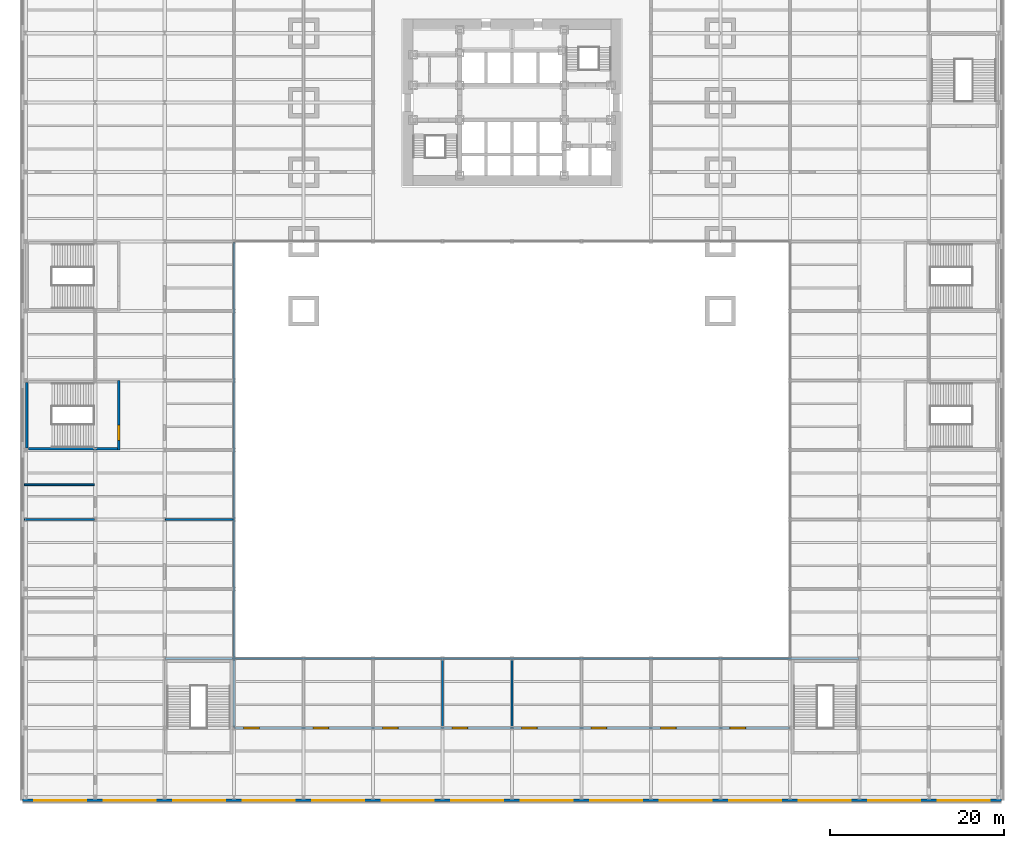
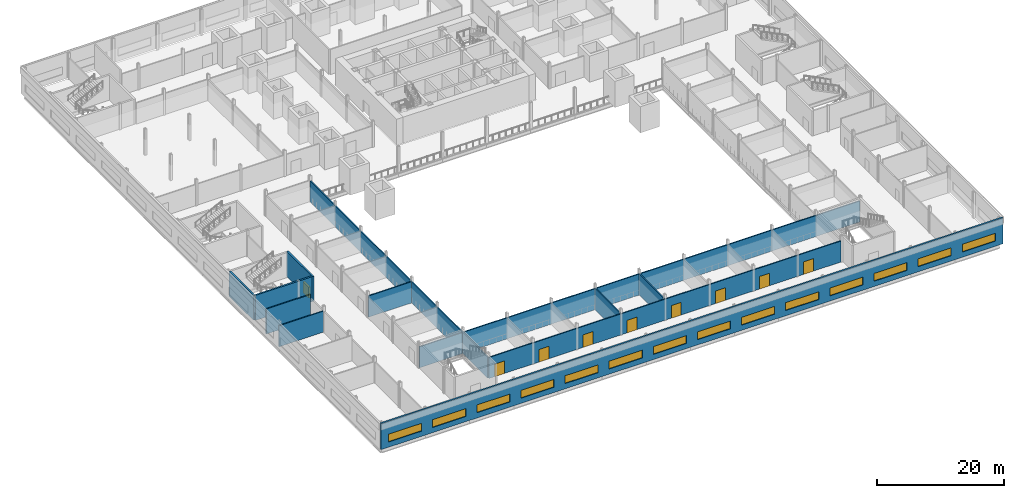
# One storey, part 10 of 22: 14 windows, 12 walls, 9 doors, 23 openings.
"""IFC4 building model written with IfcOpenShell, lengths in metres."""

from ifc_helpers import new_model, si_unit, direction, frame, frame_2d, origin, place, context, subcontext, project, spatial, rectangle, extrude, material, layer, layer_set, type_object, element, fill, save


model = new_model("IFC4")

# Units and contexts
model_context = context("Model", 3, precision=1e-05, world=origin(), true_north=direction((0.0, 1.0)))
body_context = subcontext(model_context, "Body", "Model", "MODEL_VIEW")
ifc_project = project(units=[si_unit("LENGTHUNIT", "METRE"), si_unit("AREAUNIT", "SQUARE_METRE"), si_unit("VOLUMEUNIT", "CUBIC_METRE"), si_unit("PLANEANGLEUNIT", "RADIAN"), si_unit("MASSUNIT", "GRAM", prefix="KILO")], contexts=[model_context])

# Site, building, storey
site_placement = place(None, origin())
site = spatial("IfcSite", under=ifc_project, at=site_placement, CompositionType="ELEMENT")
building_placement = place(site_placement, origin())
building = spatial("IfcBuilding", under=site, at=building_placement, Name="Daluyong Arena Tower", CompositionType="ELEMENT")
storey_placement = place(building_placement, frame((0.0, 0.0, 9.89990234375)))
storey = spatial("IfcBuildingStorey", under=building, at=storey_placement, Name="L02", CompositionType="ELEMENT", Elevation=9.89990234375)

# Wall, openings, doors
ifc_material_1 = material(Name="Concrete block partition", Category="concrete")
ifc_layer_1 = layer(ifc_material_1, 0.199951171875)
ifc_layer_set_1 = layer_set([ifc_layer_1], Name="Concrete block partition")
wall_type_1 = type_object("IfcWallType", Name="Partition 200", PredefinedType="PARTITIONING", material=ifc_layer_set_1)
wall_1_placement = place(storey_placement, frame((24.10009765625, 8.0, 0.0), z_axis=(0.0, 0.0, 1.0), x_axis=(1.0, 0.0, 0.0)))
wall_1 = element("IfcWall", 1, at=wall_1_placement, inside=storey, type_object=wall_type_1, Name="partition at L02", PredefinedType="PARTITIONING", context=body_context, shape_type="SweptSolid", body=[
    extrude(rectangle(XDim=63.7998046875, YDim=0.199951171875, at=frame_2d((31.89990234375, 0.0))), origin(), (0.0, 0.0, 1.0), 4.02783203125),
])
opening_1_placement = place(wall_1_placement, frame((1.0, 0.0, 0.0)))
opening_1 = element("IfcOpeningElement", 2, at=opening_1_placement, cuts=wall_1, Name="Opening 02045", PredefinedType="OPENING", context=body_context, shape_type="SweptSolid", body=[
    extrude(rectangle(XDim=1.800048828125, YDim=2.39990234375, at=frame_2d((0.89990234375, 1.199951171875))), frame((0.0, 0.10986328125, 0.0), z_axis=(0.0, -1.0, 0.0), x_axis=(1.0, 0.0, 0.0)), (0.0, 0.0, 1.0), 0.219970703125),
])
opening_2_placement = place(wall_1_placement, frame((9.0, 0.0, 0.0)))
opening_2 = element("IfcOpeningElement", 3, at=opening_2_placement, cuts=wall_1, Name="Opening 02046", PredefinedType="OPENING", context=body_context, shape_type="SweptSolid", body=[
    extrude(rectangle(XDim=1.800048828125, YDim=2.39990234375, at=frame_2d((0.89990234375, 1.199951171875))), frame((0.0, 0.10986328125, 0.0), z_axis=(0.0, -1.0, 0.0), x_axis=(1.0, 0.0, 0.0)), (0.0, 0.0, 1.0), 0.219970703125),
])
opening_3_placement = place(wall_1_placement, frame((17.0, 0.0, 0.0)))
opening_3 = element("IfcOpeningElement", 4, at=opening_3_placement, cuts=wall_1, Name="Opening 02047", PredefinedType="OPENING", context=body_context, shape_type="SweptSolid", body=[
    extrude(rectangle(XDim=1.800048828125, YDim=2.39990234375, at=frame_2d((0.89990234375, 1.199951171875))), frame((0.0, 0.10986328125, 0.0), z_axis=(0.0, -1.0, 0.0), x_axis=(1.0, 0.0, 0.0)), (0.0, 0.0, 1.0), 0.219970703125),
])
opening_4_placement = place(wall_1_placement, frame((25.0, 0.0, 0.0)))
opening_4 = element("IfcOpeningElement", 5, at=opening_4_placement, cuts=wall_1, Name="Opening 02048", PredefinedType="OPENING", context=body_context, shape_type="SweptSolid", body=[
    extrude(rectangle(XDim=1.800048828125, YDim=2.39990234375, at=frame_2d((0.89990234375, 1.199951171875))), frame((0.0, 0.10986328125, 0.0), z_axis=(0.0, -1.0, 0.0), x_axis=(1.0, 0.0, 0.0)), (0.0, 0.0, 1.0), 0.219970703125),
])
opening_5_placement = place(wall_1_placement, frame((33.0, 0.0, 0.0)))
opening_5 = element("IfcOpeningElement", 6, at=opening_5_placement, cuts=wall_1, Name="Opening 02049", PredefinedType="OPENING", context=body_context, shape_type="SweptSolid", body=[
    extrude(rectangle(XDim=1.800048828125, YDim=2.39990234375, at=frame_2d((0.89990234375, 1.199951171875))), frame((0.0, 0.10986328125, 0.0), z_axis=(0.0, -1.0, 0.0), x_axis=(1.0, 0.0, 0.0)), (0.0, 0.0, 1.0), 0.219970703125),
])
opening_6_placement = place(wall_1_placement, frame((41.0, 0.0, 0.0)))
opening_6 = element("IfcOpeningElement", 7, at=opening_6_placement, cuts=wall_1, Name="Opening 02050", PredefinedType="OPENING", context=body_context, shape_type="SweptSolid", body=[
    extrude(rectangle(XDim=1.800048828125, YDim=2.39990234375, at=frame_2d((0.89990234375, 1.199951171875))), frame((0.0, 0.10986328125, 0.0), z_axis=(0.0, -1.0, 0.0), x_axis=(1.0, 0.0, 0.0)), (0.0, 0.0, 1.0), 0.219970703125),
])
opening_7_placement = place(wall_1_placement, frame((49.0, 0.0, 0.0)))
opening_7 = element("IfcOpeningElement", 8, at=opening_7_placement, cuts=wall_1, Name="Opening 02051", PredefinedType="OPENING", context=body_context, shape_type="SweptSolid", body=[
    extrude(rectangle(XDim=1.800048828125, YDim=2.39990234375, at=frame_2d((0.89990234375, 1.199951171875))), frame((0.0, 0.10986328125, 0.0), z_axis=(0.0, -1.0, 0.0), x_axis=(1.0, 0.0, 0.0)), (0.0, 0.0, 1.0), 0.219970703125),
])
opening_8_placement = place(wall_1_placement, frame((57.0, 0.0, 0.0)))
opening_8 = element("IfcOpeningElement", 9, at=opening_8_placement, cuts=wall_1, Name="Opening 02052", PredefinedType="OPENING", context=body_context, shape_type="SweptSolid", body=[
    extrude(rectangle(XDim=1.800048828125, YDim=2.39990234375, at=frame_2d((0.89990234375, 1.199951171875))), frame((0.0, 0.10986328125, 0.0), z_axis=(0.0, -1.0, 0.0), x_axis=(1.0, 0.0, 0.0)), (0.0, 0.0, 1.0), 0.219970703125),
])
ifc_material_2 = material(Name="Timber door", Category="wood")
door_type_1 = type_object("IfcDoorType", Name="Assembly double door 1800", OperationType="DOUBLE_DOOR_DOUBLE_SWING", PredefinedType="DOOR", material=ifc_material_2)
door_1_placement = place(opening_1_placement, origin())
door_1 = element("IfcDoor", 10, at=door_1_placement, inside=storey, type_object=door_type_1, Name="corporate suite door 02045", OperationType="DOUBLE_DOOR_DOUBLE_SWING", OverallHeight=2.39990234375, OverallWidth=1.800048828125, PredefinedType="DOOR", context=body_context, shape_type="SweptSolid", body=[
    extrude(rectangle(XDim=1.800048828125, YDim=2.39990234375, at=frame_2d((0.89990234375, 1.199951171875))), frame((0.0, 0.099609375, 0.0), z_axis=(0.0, -1.0, 0.0), x_axis=(1.0, 0.0, 0.0)), (0.0, 0.0, 1.0), 0.199462890625),
])
fill(opening_1, door_1)
door_2_placement = place(opening_2_placement, origin())
door_2 = element("IfcDoor", 11, at=door_2_placement, inside=storey, type_object=door_type_1, Name="corporate suite door 02046", OperationType="DOUBLE_DOOR_DOUBLE_SWING", OverallHeight=2.39990234375, OverallWidth=1.800048828125, PredefinedType="DOOR", context=body_context, shape_type="SweptSolid", body=[
    extrude(rectangle(XDim=1.800048828125, YDim=2.39990234375, at=frame_2d((0.89990234375, 1.199951171875))), frame((0.0, 0.099609375, 0.0), z_axis=(0.0, -1.0, 0.0), x_axis=(1.0, 0.0, 0.0)), (0.0, 0.0, 1.0), 0.199462890625),
])
fill(opening_2, door_2)
door_3_placement = place(opening_3_placement, origin())
door_3 = element("IfcDoor", 12, at=door_3_placement, inside=storey, type_object=door_type_1, Name="corporate suite door 02047", OperationType="DOUBLE_DOOR_DOUBLE_SWING", OverallHeight=2.39990234375, OverallWidth=1.800048828125, PredefinedType="DOOR", context=body_context, shape_type="SweptSolid", body=[
    extrude(rectangle(XDim=1.800048828125, YDim=2.39990234375, at=frame_2d((0.89990234375, 1.199951171875))), frame((0.0, 0.099609375, 0.0), z_axis=(0.0, -1.0, 0.0), x_axis=(1.0, 0.0, 0.0)), (0.0, 0.0, 1.0), 0.199462890625),
])
fill(opening_3, door_3)
door_4_placement = place(opening_4_placement, origin())
door_4 = element("IfcDoor", 13, at=door_4_placement, inside=storey, type_object=door_type_1, Name="corporate suite door 02048", OperationType="DOUBLE_DOOR_DOUBLE_SWING", OverallHeight=2.39990234375, OverallWidth=1.800048828125, PredefinedType="DOOR", context=body_context, shape_type="SweptSolid", body=[
    extrude(rectangle(XDim=1.800048828125, YDim=2.39990234375, at=frame_2d((0.89990234375, 1.199951171875))), frame((0.0, 0.099609375, 0.0), z_axis=(0.0, -1.0, 0.0), x_axis=(1.0, 0.0, 0.0)), (0.0, 0.0, 1.0), 0.199462890625),
])
fill(opening_4, door_4)
door_5_placement = place(opening_5_placement, origin())
door_5 = element("IfcDoor", 14, at=door_5_placement, inside=storey, type_object=door_type_1, Name="corporate suite door 02049", OperationType="DOUBLE_DOOR_DOUBLE_SWING", OverallHeight=2.39990234375, OverallWidth=1.800048828125, PredefinedType="DOOR", context=body_context, shape_type="SweptSolid", body=[
    extrude(rectangle(XDim=1.800048828125, YDim=2.39990234375, at=frame_2d((0.89990234375, 1.199951171875))), frame((0.0, 0.099609375, 0.0), z_axis=(0.0, -1.0, 0.0), x_axis=(1.0, 0.0, 0.0)), (0.0, 0.0, 1.0), 0.199462890625),
])
fill(opening_5, door_5)
door_6_placement = place(opening_6_placement, origin())
door_6 = element("IfcDoor", 15, at=door_6_placement, inside=storey, type_object=door_type_1, Name="corporate suite door 02050", OperationType="DOUBLE_DOOR_DOUBLE_SWING", OverallHeight=2.39990234375, OverallWidth=1.800048828125, PredefinedType="DOOR", context=body_context, shape_type="SweptSolid", body=[
    extrude(rectangle(XDim=1.800048828125, YDim=2.39990234375, at=frame_2d((0.89990234375, 1.199951171875))), frame((0.0, 0.099609375, 0.0), z_axis=(0.0, -1.0, 0.0), x_axis=(1.0, 0.0, 0.0)), (0.0, 0.0, 1.0), 0.199462890625),
])
fill(opening_6, door_6)
door_7_placement = place(opening_7_placement, origin())
door_7 = element("IfcDoor", 16, at=door_7_placement, inside=storey, type_object=door_type_1, Name="corporate suite door 02051", OperationType="DOUBLE_DOOR_DOUBLE_SWING", OverallHeight=2.39990234375, OverallWidth=1.800048828125, PredefinedType="DOOR", context=body_context, shape_type="SweptSolid", body=[
    extrude(rectangle(XDim=1.800048828125, YDim=2.39990234375, at=frame_2d((0.89990234375, 1.199951171875))), frame((0.0, 0.099609375, 0.0), z_axis=(0.0, -1.0, 0.0), x_axis=(1.0, 0.0, 0.0)), (0.0, 0.0, 1.0), 0.199462890625),
])
fill(opening_7, door_7)
door_8_placement = place(opening_8_placement, origin())
door_8 = element("IfcDoor", 17, at=door_8_placement, inside=storey, type_object=door_type_1, Name="corporate suite door 02052", OperationType="DOUBLE_DOOR_DOUBLE_SWING", OverallHeight=2.39990234375, OverallWidth=1.800048828125, PredefinedType="DOOR", context=body_context, shape_type="SweptSolid", body=[
    extrude(rectangle(XDim=1.800048828125, YDim=2.39990234375, at=frame_2d((0.89990234375, 1.199951171875))), frame((0.0, 0.099609375, 0.0), z_axis=(0.0, -1.0, 0.0), x_axis=(1.0, 0.0, 0.0)), (0.0, 0.0, 1.0), 0.199462890625),
])
fill(opening_8, door_8)

# Walls
wall_2_placement = place(storey_placement, frame((16.10009765625, 16.0, 0.0), z_axis=(0.0, 0.0, 1.0), x_axis=(1.0, 0.0, 0.0)))
element("IfcWall", 18, at=wall_2_placement, inside=storey, type_object=wall_type_1, Name="partition at L02", PredefinedType="PARTITIONING", context=body_context, shape_type="SweptSolid", body=[
    extrude(rectangle(XDim=79.7998046875, YDim=0.199951171875, at=frame_2d((39.89990234375, 0.0))), origin(), (0.0, 0.0, 1.0), 4.02783203125),
])
wall_3_placement = place(storey_placement, frame((-0.14990234375, 32.0, 0.0), z_axis=(0.0, 0.0, 1.0), x_axis=(1.0, 0.0, 0.0)))
element("IfcWall", 19, at=wall_3_placement, inside=storey, type_object=wall_type_1, Name="partition at L02", PredefinedType="PARTITIONING", context=body_context, shape_type="SweptSolid", body=[
    extrude(rectangle(XDim=8.0498046875, YDim=0.199951171875, at=frame_2d((4.02490234375, 0.0))), origin(), (0.0, 0.0, 1.0), 4.02783203125),
])
wall_4_placement = place(storey_placement, frame((16.10009765625, 32.0, 0.0), z_axis=(0.0, 0.0, 1.0), x_axis=(1.0, 0.0, 0.0)))
element("IfcWall", 20, at=wall_4_placement, inside=storey, type_object=wall_type_1, Name="partition at L02", PredefinedType="PARTITIONING", context=body_context, shape_type="SweptSolid", body=[
    extrude(rectangle(XDim=7.7998046875, YDim=0.199951171875, at=frame_2d((3.89990234375, 0.0))), origin(), (0.0, 0.0, 1.0), 4.071533203125),
])
wall_5_placement = place(storey_placement, frame((-0.14990234375, 36.0, 0.0), z_axis=(0.0, 0.0, 1.0), x_axis=(1.0, 0.0, 0.0)))
element("IfcWall", 21, at=wall_5_placement, inside=storey, type_object=wall_type_1, Name="partition at L02", PredefinedType="PARTITIONING", context=body_context, shape_type="SweptSolid", body=[
    extrude(rectangle(XDim=8.0498046875, YDim=0.199951171875, at=frame_2d((4.02490234375, 0.0))), origin(), (0.0, 0.0, 1.0), 4.800048828125),
])
wall_6_placement = place(storey_placement, frame((24.0, 8.10009765625, 0.0), z_axis=(0.0, 0.0, 1.0), x_axis=(0.0, 1.0, 0.0)))
element("IfcWall", 22, at=wall_6_placement, inside=storey, type_object=wall_type_1, Name="partition at L02", PredefinedType="PARTITIONING", context=body_context, shape_type="SweptSolid", body=[
    extrude(rectangle(XDim=55.7998046875, YDim=0.199951171875, at=frame_2d((27.89990234375, 0.0))), origin(), (0.0, 0.0, 1.0), 4.02783203125),
])
for number, where, z_axis, x_axis, name in (
    (23, (48.0, 8.10009765625, 0.0), (0.0, 0.0, 1.0), (0.0, 1.0, 0.0), "partition at L02"),
    (24, (56.0, 8.10009765625, 0.0), (0.0, 0.0, 1.0), (0.0, 1.0, 0.0), "partition at L02"),
):
    element("IfcWall", number, at=place(storey_placement, frame(where, z_axis=z_axis, x_axis=x_axis)), inside=storey, type_object=wall_type_1, Name=name, PredefinedType="PARTITIONING", context=body_context, shape_type="SweptSolid", body=[
        extrude(rectangle(XDim=7.7998046875, YDim=0.199951171875, at=frame_2d((3.89990234375, 0.0))), origin(), (0.0, 0.0, 1.0), 4.071533203125),
    ])

# Wall, openings, windows
ifc_material_3 = material(Name="Precast concrete fc' 45 MPa", Category="concrete")
ifc_layer_2 = layer(ifc_material_3, 0.300048828125)
ifc_layer_set_2 = layer_set([ifc_layer_2], Name="Precast concrete fc' 45 MPa")
wall_type_2 = type_object("IfcWallType", Name="Podium precast band wall 300", PredefinedType="SOLIDWALL", material=ifc_layer_set_2)
wall_7_placement = place(storey_placement, frame((-0.35009765625, -0.35009765625, 0.0), z_axis=(0.0, 0.0, 1.0), x_axis=(1.0, 0.0, 0.0)))
wall_7 = element("IfcWall", 25, at=wall_7_placement, inside=storey, type_object=wall_type_2, Name="podium wall S L02", PredefinedType="SOLIDWALL", context=body_context, shape_type="SweptSolid", body=[
    extrude(rectangle(XDim=112.7001953125, YDim=0.300048828125, at=frame_2d((56.35009765625, 0.0))), origin(), (0.0, 0.0, 1.0), 5.0),
])
opening_9_placement = place(wall_7_placement, frame((1.35009765625, 0.0, 1.0)))
opening_9 = element("IfcOpeningElement", 26, at=opening_9_placement, cuts=wall_7, Name="Opening W1", PredefinedType="OPENING", context=body_context, shape_type="SweptSolid", body=[
    extrude(rectangle(XDim=6.0, YDim=1.5, at=frame_2d((3.0, 0.75))), frame((0.0, 0.159912109375, 0.0), z_axis=(0.0, -1.0, 0.0), x_axis=(1.0, 0.0, 0.0)), (0.0, 0.0, 1.0), 0.320068359375),
])
opening_10_placement = place(wall_7_placement, frame((9.35009765625, 0.0, 1.0)))
opening_10 = element("IfcOpeningElement", 27, at=opening_10_placement, cuts=wall_7, Name="Opening W1", PredefinedType="OPENING", context=body_context, shape_type="SweptSolid", body=[
    extrude(rectangle(XDim=6.0, YDim=1.5, at=frame_2d((3.0, 0.75))), frame((0.0, 0.159912109375, 0.0), z_axis=(0.0, -1.0, 0.0), x_axis=(1.0, 0.0, 0.0)), (0.0, 0.0, 1.0), 0.320068359375),
])
opening_11_placement = place(wall_7_placement, frame((17.35009765625, 0.0, 1.0)))
opening_11 = element("IfcOpeningElement", 28, at=opening_11_placement, cuts=wall_7, Name="Opening W1", PredefinedType="OPENING", context=body_context, shape_type="SweptSolid", body=[
    extrude(rectangle(XDim=6.0, YDim=1.5, at=frame_2d((3.0, 0.75))), frame((0.0, 0.159912109375, 0.0), z_axis=(0.0, -1.0, 0.0), x_axis=(1.0, 0.0, 0.0)), (0.0, 0.0, 1.0), 0.320068359375),
])
opening_12_placement = place(wall_7_placement, frame((25.35009765625, 0.0, 1.0)))
opening_12 = element("IfcOpeningElement", 29, at=opening_12_placement, cuts=wall_7, Name="Opening W1", PredefinedType="OPENING", context=body_context, shape_type="SweptSolid", body=[
    extrude(rectangle(XDim=6.0, YDim=1.5, at=frame_2d((3.0, 0.75))), frame((0.0, 0.159912109375, 0.0), z_axis=(0.0, -1.0, 0.0), x_axis=(1.0, 0.0, 0.0)), (0.0, 0.0, 1.0), 0.320068359375),
])
opening_13_placement = place(wall_7_placement, frame((33.35009765625, 0.0, 1.0)))
opening_13 = element("IfcOpeningElement", 30, at=opening_13_placement, cuts=wall_7, Name="Opening W1", PredefinedType="OPENING", context=body_context, shape_type="SweptSolid", body=[
    extrude(rectangle(XDim=6.0, YDim=1.5, at=frame_2d((3.0, 0.75))), frame((0.0, 0.159912109375, 0.0), z_axis=(0.0, -1.0, 0.0), x_axis=(1.0, 0.0, 0.0)), (0.0, 0.0, 1.0), 0.320068359375),
])
opening_14_placement = place(wall_7_placement, frame((41.35009765625, 0.0, 1.0)))
opening_14 = element("IfcOpeningElement", 31, at=opening_14_placement, cuts=wall_7, Name="Opening W1", PredefinedType="OPENING", context=body_context, shape_type="SweptSolid", body=[
    extrude(rectangle(XDim=6.0, YDim=1.5, at=frame_2d((3.0, 0.75))), frame((0.0, 0.159912109375, 0.0), z_axis=(0.0, -1.0, 0.0), x_axis=(1.0, 0.0, 0.0)), (0.0, 0.0, 1.0), 0.320068359375),
])
opening_15_placement = place(wall_7_placement, frame((49.35009765625, 0.0, 1.0)))
opening_15 = element("IfcOpeningElement", 32, at=opening_15_placement, cuts=wall_7, Name="Opening W1", PredefinedType="OPENING", context=body_context, shape_type="SweptSolid", body=[
    extrude(rectangle(XDim=6.0, YDim=1.5, at=frame_2d((3.0, 0.75))), frame((0.0, 0.159912109375, 0.0), z_axis=(0.0, -1.0, 0.0), x_axis=(1.0, 0.0, 0.0)), (0.0, 0.0, 1.0), 0.320068359375),
])
opening_16_placement = place(wall_7_placement, frame((57.35009765625, 0.0, 1.0)))
opening_16 = element("IfcOpeningElement", 33, at=opening_16_placement, cuts=wall_7, Name="Opening W1", PredefinedType="OPENING", context=body_context, shape_type="SweptSolid", body=[
    extrude(rectangle(XDim=6.0, YDim=1.5, at=frame_2d((3.0, 0.75))), frame((0.0, 0.159912109375, 0.0), z_axis=(0.0, -1.0, 0.0), x_axis=(1.0, 0.0, 0.0)), (0.0, 0.0, 1.0), 0.320068359375),
])
opening_17_placement = place(wall_7_placement, frame((65.35009765625, 0.0, 1.0)))
opening_17 = element("IfcOpeningElement", 34, at=opening_17_placement, cuts=wall_7, Name="Opening W1", PredefinedType="OPENING", context=body_context, shape_type="SweptSolid", body=[
    extrude(rectangle(XDim=6.0, YDim=1.5, at=frame_2d((3.0, 0.75))), frame((0.0, 0.159912109375, 0.0), z_axis=(0.0, -1.0, 0.0), x_axis=(1.0, 0.0, 0.0)), (0.0, 0.0, 1.0), 0.320068359375),
])
opening_18_placement = place(wall_7_placement, frame((73.35009765625, 0.0, 1.0)))
opening_18 = element("IfcOpeningElement", 35, at=opening_18_placement, cuts=wall_7, Name="Opening W1", PredefinedType="OPENING", context=body_context, shape_type="SweptSolid", body=[
    extrude(rectangle(XDim=6.0, YDim=1.5, at=frame_2d((3.0, 0.75))), frame((0.0, 0.159912109375, 0.0), z_axis=(0.0, -1.0, 0.0), x_axis=(1.0, 0.0, 0.0)), (0.0, 0.0, 1.0), 0.320068359375),
])
opening_19_placement = place(wall_7_placement, frame((81.35009765625, 0.0, 1.0)))
opening_19 = element("IfcOpeningElement", 36, at=opening_19_placement, cuts=wall_7, Name="Opening W1", PredefinedType="OPENING", context=body_context, shape_type="SweptSolid", body=[
    extrude(rectangle(XDim=6.0, YDim=1.5, at=frame_2d((3.0, 0.75))), frame((0.0, 0.159912109375, 0.0), z_axis=(0.0, -1.0, 0.0), x_axis=(1.0, 0.0, 0.0)), (0.0, 0.0, 1.0), 0.320068359375),
])
opening_20_placement = place(wall_7_placement, frame((89.35009765625, 0.0, 1.0)))
opening_20 = element("IfcOpeningElement", 37, at=opening_20_placement, cuts=wall_7, Name="Opening W1", PredefinedType="OPENING", context=body_context, shape_type="SweptSolid", body=[
    extrude(rectangle(XDim=6.0, YDim=1.5, at=frame_2d((3.0, 0.75))), frame((0.0, 0.159912109375, 0.0), z_axis=(0.0, -1.0, 0.0), x_axis=(1.0, 0.0, 0.0)), (0.0, 0.0, 1.0), 0.320068359375),
])
opening_21_placement = place(wall_7_placement, frame((97.35009765625, 0.0, 1.0)))
opening_21 = element("IfcOpeningElement", 38, at=opening_21_placement, cuts=wall_7, Name="Opening W1", PredefinedType="OPENING", context=body_context, shape_type="SweptSolid", body=[
    extrude(rectangle(XDim=6.0, YDim=1.5, at=frame_2d((3.0, 0.75))), frame((0.0, 0.159912109375, 0.0), z_axis=(0.0, -1.0, 0.0), x_axis=(1.0, 0.0, 0.0)), (0.0, 0.0, 1.0), 0.320068359375),
])
opening_22_placement = place(wall_7_placement, frame((105.35009765625, 0.0, 1.0)))
opening_22 = element("IfcOpeningElement", 39, at=opening_22_placement, cuts=wall_7, Name="Opening W1", PredefinedType="OPENING", context=body_context, shape_type="SweptSolid", body=[
    extrude(rectangle(XDim=6.0, YDim=1.5, at=frame_2d((3.0, 0.75))), frame((0.0, 0.159912109375, 0.0), z_axis=(0.0, -1.0, 0.0), x_axis=(1.0, 0.0, 0.0)), (0.0, 0.0, 1.0), 0.320068359375),
])
ifc_material_4 = material(Name="Bronze aluminium window, tinted glass", Category="aluminium")
window_type = type_object("IfcWindowType", Name="Ribbon window 6000x1500", PartitioningType="TRIPLE_PANEL_HORIZONTAL", PredefinedType="WINDOW", material=ifc_material_4)
window_1_placement = place(opening_9_placement, origin())
window_1 = element("IfcWindow", 40, at=window_1_placement, inside=storey, type_object=window_type, Name="ribbon window S", OverallHeight=1.5, OverallWidth=6.0, PartitioningType="SINGLE_PANEL", PredefinedType="WINDOW", context=body_context, shape_type="SweptSolid", body=[
    extrude(rectangle(XDim=6.0, YDim=1.5, at=frame_2d((3.0, 0.75))), frame((0.0, 0.030029296875, 0.0), z_axis=(0.0, -1.0, 0.0), x_axis=(1.0, 0.0, 0.0)), (0.0, 0.0, 1.0), 0.06005859375),
])
fill(opening_9, window_1)
window_2_placement = place(opening_10_placement, origin())
window_2 = element("IfcWindow", 41, at=window_2_placement, inside=storey, type_object=window_type, Name="ribbon window S", OverallHeight=1.5, OverallWidth=6.0, PartitioningType="SINGLE_PANEL", PredefinedType="WINDOW", context=body_context, shape_type="SweptSolid", body=[
    extrude(rectangle(XDim=6.0, YDim=1.5, at=frame_2d((3.0, 0.75))), frame((0.0, 0.030029296875, 0.0), z_axis=(0.0, -1.0, 0.0), x_axis=(1.0, 0.0, 0.0)), (0.0, 0.0, 1.0), 0.06005859375),
])
fill(opening_10, window_2)
window_3_placement = place(opening_11_placement, origin())
window_3 = element("IfcWindow", 42, at=window_3_placement, inside=storey, type_object=window_type, Name="ribbon window S", OverallHeight=1.5, OverallWidth=6.0, PartitioningType="SINGLE_PANEL", PredefinedType="WINDOW", context=body_context, shape_type="SweptSolid", body=[
    extrude(rectangle(XDim=6.0, YDim=1.5, at=frame_2d((3.0, 0.75))), frame((0.0, 0.030029296875, 0.0), z_axis=(0.0, -1.0, 0.0), x_axis=(1.0, 0.0, 0.0)), (0.0, 0.0, 1.0), 0.06005859375),
])
fill(opening_11, window_3)
window_4_placement = place(opening_12_placement, origin())
window_4 = element("IfcWindow", 43, at=window_4_placement, inside=storey, type_object=window_type, Name="ribbon window S", OverallHeight=1.5, OverallWidth=6.0, PartitioningType="SINGLE_PANEL", PredefinedType="WINDOW", context=body_context, shape_type="SweptSolid", body=[
    extrude(rectangle(XDim=6.0, YDim=1.5, at=frame_2d((3.0, 0.75))), frame((0.0, 0.030029296875, 0.0), z_axis=(0.0, -1.0, 0.0), x_axis=(1.0, 0.0, 0.0)), (0.0, 0.0, 1.0), 0.06005859375),
])
fill(opening_12, window_4)
window_5_placement = place(opening_13_placement, origin())
window_5 = element("IfcWindow", 44, at=window_5_placement, inside=storey, type_object=window_type, Name="ribbon window S", OverallHeight=1.5, OverallWidth=6.0, PartitioningType="SINGLE_PANEL", PredefinedType="WINDOW", context=body_context, shape_type="SweptSolid", body=[
    extrude(rectangle(XDim=6.0, YDim=1.5, at=frame_2d((3.0, 0.75))), frame((0.0, 0.030029296875, 0.0), z_axis=(0.0, -1.0, 0.0), x_axis=(1.0, 0.0, 0.0)), (0.0, 0.0, 1.0), 0.06005859375),
])
fill(opening_13, window_5)
window_6_placement = place(opening_14_placement, origin())
window_6 = element("IfcWindow", 45, at=window_6_placement, inside=storey, type_object=window_type, Name="ribbon window S", OverallHeight=1.5, OverallWidth=6.0, PartitioningType="SINGLE_PANEL", PredefinedType="WINDOW", context=body_context, shape_type="SweptSolid", body=[
    extrude(rectangle(XDim=6.0, YDim=1.5, at=frame_2d((3.0, 0.75))), frame((0.0, 0.030029296875, 0.0), z_axis=(0.0, -1.0, 0.0), x_axis=(1.0, 0.0, 0.0)), (0.0, 0.0, 1.0), 0.06005859375),
])
fill(opening_14, window_6)
window_7_placement = place(opening_15_placement, origin())
window_7 = element("IfcWindow", 46, at=window_7_placement, inside=storey, type_object=window_type, Name="ribbon window S", OverallHeight=1.5, OverallWidth=6.0, PartitioningType="SINGLE_PANEL", PredefinedType="WINDOW", context=body_context, shape_type="SweptSolid", body=[
    extrude(rectangle(XDim=6.0, YDim=1.5, at=frame_2d((3.0, 0.75))), frame((0.0, 0.030029296875, 0.0), z_axis=(0.0, -1.0, 0.0), x_axis=(1.0, 0.0, 0.0)), (0.0, 0.0, 1.0), 0.06005859375),
])
fill(opening_15, window_7)
window_8_placement = place(opening_16_placement, origin())
window_8 = element("IfcWindow", 47, at=window_8_placement, inside=storey, type_object=window_type, Name="ribbon window S", OverallHeight=1.5, OverallWidth=6.0, PartitioningType="SINGLE_PANEL", PredefinedType="WINDOW", context=body_context, shape_type="SweptSolid", body=[
    extrude(rectangle(XDim=6.0, YDim=1.5, at=frame_2d((3.0, 0.75))), frame((0.0, 0.030029296875, 0.0), z_axis=(0.0, -1.0, 0.0), x_axis=(1.0, 0.0, 0.0)), (0.0, 0.0, 1.0), 0.06005859375),
])
fill(opening_16, window_8)
window_9_placement = place(opening_17_placement, origin())
window_9 = element("IfcWindow", 48, at=window_9_placement, inside=storey, type_object=window_type, Name="ribbon window S", OverallHeight=1.5, OverallWidth=6.0, PartitioningType="SINGLE_PANEL", PredefinedType="WINDOW", context=body_context, shape_type="SweptSolid", body=[
    extrude(rectangle(XDim=6.0, YDim=1.5, at=frame_2d((3.0, 0.75))), frame((0.0, 0.030029296875, 0.0), z_axis=(0.0, -1.0, 0.0), x_axis=(1.0, 0.0, 0.0)), (0.0, 0.0, 1.0), 0.06005859375),
])
fill(opening_17, window_9)
window_10_placement = place(opening_18_placement, origin())
window_10 = element("IfcWindow", 49, at=window_10_placement, inside=storey, type_object=window_type, Name="ribbon window S", OverallHeight=1.5, OverallWidth=6.0, PartitioningType="SINGLE_PANEL", PredefinedType="WINDOW", context=body_context, shape_type="SweptSolid", body=[
    extrude(rectangle(XDim=6.0, YDim=1.5, at=frame_2d((3.0, 0.75))), frame((0.0, 0.030029296875, 0.0), z_axis=(0.0, -1.0, 0.0), x_axis=(1.0, 0.0, 0.0)), (0.0, 0.0, 1.0), 0.06005859375),
])
fill(opening_18, window_10)
window_11_placement = place(opening_19_placement, origin())
window_11 = element("IfcWindow", 50, at=window_11_placement, inside=storey, type_object=window_type, Name="ribbon window S", OverallHeight=1.5, OverallWidth=6.0, PartitioningType="SINGLE_PANEL", PredefinedType="WINDOW", context=body_context, shape_type="SweptSolid", body=[
    extrude(rectangle(XDim=6.0, YDim=1.5, at=frame_2d((3.0, 0.75))), frame((0.0, 0.030029296875, 0.0), z_axis=(0.0, -1.0, 0.0), x_axis=(1.0, 0.0, 0.0)), (0.0, 0.0, 1.0), 0.06005859375),
])
fill(opening_19, window_11)
window_12_placement = place(opening_20_placement, origin())
window_12 = element("IfcWindow", 51, at=window_12_placement, inside=storey, type_object=window_type, Name="ribbon window S", OverallHeight=1.5, OverallWidth=6.0, PartitioningType="SINGLE_PANEL", PredefinedType="WINDOW", context=body_context, shape_type="SweptSolid", body=[
    extrude(rectangle(XDim=6.0, YDim=1.5, at=frame_2d((3.0, 0.75))), frame((0.0, 0.030029296875, 0.0), z_axis=(0.0, -1.0, 0.0), x_axis=(1.0, 0.0, 0.0)), (0.0, 0.0, 1.0), 0.06005859375),
])
fill(opening_20, window_12)
window_13_placement = place(opening_21_placement, origin())
window_13 = element("IfcWindow", 52, at=window_13_placement, inside=storey, type_object=window_type, Name="ribbon window S", OverallHeight=1.5, OverallWidth=6.0, PartitioningType="SINGLE_PANEL", PredefinedType="WINDOW", context=body_context, shape_type="SweptSolid", body=[
    extrude(rectangle(XDim=6.0, YDim=1.5, at=frame_2d((3.0, 0.75))), frame((0.0, 0.030029296875, 0.0), z_axis=(0.0, -1.0, 0.0), x_axis=(1.0, 0.0, 0.0)), (0.0, 0.0, 1.0), 0.06005859375),
])
fill(opening_21, window_13)
window_14_placement = place(opening_22_placement, origin())
window_14 = element("IfcWindow", 53, at=window_14_placement, inside=storey, type_object=window_type, Name="ribbon window S", OverallHeight=1.5, OverallWidth=6.0, PartitioningType="SINGLE_PANEL", PredefinedType="WINDOW", context=body_context, shape_type="SweptSolid", body=[
    extrude(rectangle(XDim=6.0, YDim=1.5, at=frame_2d((3.0, 0.75))), frame((0.0, 0.030029296875, 0.0), z_axis=(0.0, -1.0, 0.0), x_axis=(1.0, 0.0, 0.0)), (0.0, 0.0, 1.0), 0.06005859375),
])
fill(opening_22, window_14)

# Wall
ifc_material_5 = material(Name="Concrete fc' 35 MPa", Category="concrete")
ifc_layer_3 = layer(ifc_material_5, 0.300048828125)
ifc_layer_set_3 = layer_set([ifc_layer_3], Name="Concrete fc' 35 MPa")
wall_type_3 = type_object("IfcWallType", Name="Stair enclosure wall 300", PredefinedType="SOLIDWALL", material=ifc_layer_set_3)
wall_8_placement = place(storey_placement, frame((0.14990234375, 40.208251953125, 0.0), z_axis=(0.0, 0.0, 1.0), x_axis=(0.0, 1.0, 0.0)))
element("IfcWall", 54, at=wall_8_placement, inside=storey, type_object=wall_type_3, Name="exit stair PS3 enclosure", PredefinedType="SOLIDWALL", context=body_context, shape_type="SweptSolid", body=[
    extrude(rectangle(XDim=7.58349609375, YDim=0.300048828125, at=frame_2d((3.791748046875, 0.0))), origin(), (0.0, 0.0, 1.0), 4.800048828125),
])

# Wall, opening, door
wall_9_placement = place(storey_placement, frame((10.699951171875, 40.0, 0.0), z_axis=(0.0, 0.0, 1.0), x_axis=(0.0, 1.0, 0.0)))
wall_9 = element("IfcWall", 55, at=wall_9_placement, inside=storey, type_object=wall_type_3, Name="exit stair PS3 enclosure", PredefinedType="SOLIDWALL", context=body_context, shape_type="SweptSolid", body=[
    extrude(rectangle(XDim=8.0, YDim=0.300048828125, at=frame_2d((4.0, 0.0))), origin(), (0.0, 0.0, 1.0), 4.800048828125),
])
opening_23_placement = place(wall_9_placement, frame((1.10009765625, 0.0, 0.0)))
opening_23 = element("IfcOpeningElement", 56, at=opening_23_placement, cuts=wall_9, Name="Opening 02017", PredefinedType="OPENING", context=body_context, shape_type="SweptSolid", body=[
    extrude(rectangle(XDim=1.800048828125, YDim=2.10009765625, at=frame_2d((0.89990234375, 1.050048828125))), frame((0.0, 0.159912109375, 0.0), z_axis=(0.0, -1.0, 0.0), x_axis=(1.0, 0.0, 0.0)), (0.0, 0.0, 1.0), 0.320068359375),
])
ifc_material_6 = material(Name="Steel door, fire rated", Category="steel")
door_type_2 = type_object("IfcDoorType", Name="Exit stair double door 1800", OperationType="DOUBLE_DOOR_SINGLE_SWING", PredefinedType="DOOR", material=ifc_material_6)
door_9_placement = place(opening_23_placement, origin())
door_9 = element("IfcDoor", 57, at=door_9_placement, inside=storey, type_object=door_type_2, Name="exit stair PS3 door 02017", OperationType="DOUBLE_DOOR_SINGLE_SWING", OverallHeight=2.10009765625, OverallWidth=1.800048828125, PredefinedType="DOOR", context=body_context, shape_type="SweptSolid", body=[
    extrude(rectangle(XDim=1.800048828125, YDim=2.10009765625, at=frame_2d((0.89990234375, 1.050048828125))), frame((0.0, 0.14990234375, 0.0), z_axis=(0.0, -1.0, 0.0), x_axis=(1.0, 0.0, 0.0)), (0.0, 0.0, 1.0), 0.299560546875),
])
fill(opening_23, door_9)

# Wall
wall_10_placement = place(storey_placement, frame((0.300048828125, 40.14990234375, 0.0), z_axis=(0.0, 0.0, 1.0), x_axis=(1.0, 0.0, 0.0)))
element("IfcWall", 58, at=wall_10_placement, inside=storey, type_object=wall_type_3, Name="exit stair PS3 enclosure", PredefinedType="SOLIDWALL", context=body_context, shape_type="SweptSolid", body=[
    extrude(rectangle(XDim=10.25, YDim=0.300048828125, at=frame_2d((5.125, 0.0))), origin(), (0.0, 0.0, 1.0), 4.800048828125),
])

save(model, "model.ifc")
